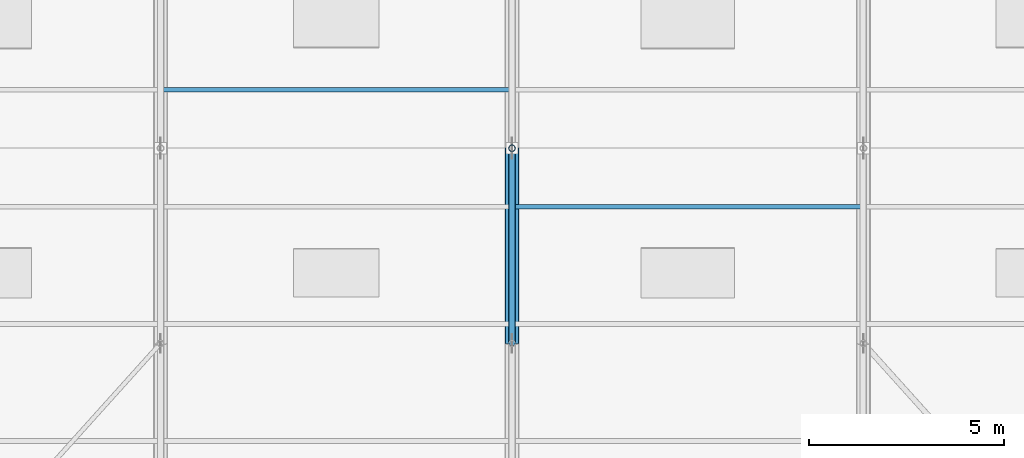
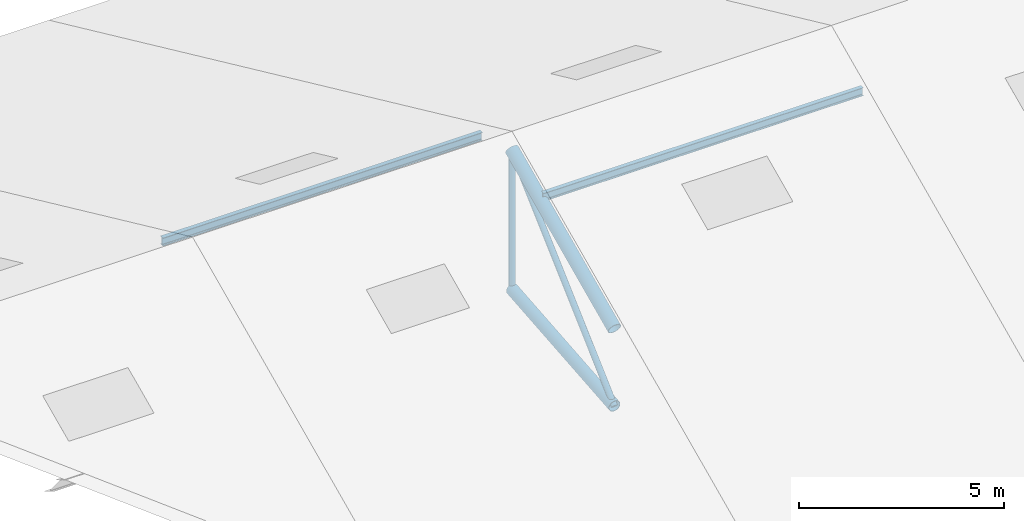
# One storey, part 17 of 107: 6 members.
"""IFC4 building model written with IfcOpenShell, lengths in metres."""

from ifc_helpers import new_model, si_unit, derived_unit, direction, frame, origin, origin_2d, place, context, subcontext, project, spatial, hollow_circle, i_section, extrude, material, material_profile, profile_set, type_object, element, save


model = new_model("IFC4")

# Units and contexts
model_context = context("Model", 3, precision=1e-05, world=origin(), true_north=direction((0.0, 1.0)))
body_context = subcontext(model_context, "Body", "Model", "MODEL_VIEW")
ifc_project = project(units=[si_unit("LENGTHUNIT", "METRE"), si_unit("AREAUNIT", "SQUARE_METRE"), si_unit("VOLUMEUNIT", "CUBIC_METRE"), si_unit("PLANEANGLEUNIT", "RADIAN"), si_unit("MASSUNIT", "GRAM", prefix="KILO"), si_unit("THERMODYNAMICTEMPERATUREUNIT", "KELVIN"), si_unit("TIMEUNIT", "SECOND"), derived_unit("THERMALTRANSMITTANCEUNIT", [(si_unit("MASSUNIT", "GRAM", prefix="KILO"), 1), (si_unit("THERMODYNAMICTEMPERATUREUNIT", "KELVIN"), -1), (si_unit("TIMEUNIT", "SECOND"), -3)])], contexts=[model_context])

# Site, building, storey
site_placement = place(None, origin())
site = spatial("IfcSite", under=ifc_project, at=site_placement, CompositionType="ELEMENT")
building_placement = place(site_placement, origin())
building = spatial("IfcBuilding", under=site, at=building_placement, Name="Cambertide Market Hall", CompositionType="ELEMENT")
storey_placement = place(building_placement, frame((0.0, 0.0, 18.300048828125)))
storey = spatial("IfcBuildingStorey", under=building, at=storey_placement, Name="RF", CompositionType="ELEMENT", Elevation=18.300048828125)

# Members
ifc_material_1 = material(Name="Steel S355", Category="steel")
ifc_material_profile_1 = material_profile(ifc_material_1, hollow_circle(Radius=0.161865234375, WallThickness=0.010009765625, at=origin_2d()), Name="CHS 323.9x10")
ifc_profile_set_1 = profile_set([ifc_material_profile_1], Name="Steel S355")
member_type_1 = type_object("IfcMemberType", Name="Arched Truss Chord CHS 323.9x10", PredefinedType="CHORD", material=ifc_profile_set_1)
member_1_placement = place(storey_placement, frame((60.0, 67.0, -4.955322265625), z_axis=(0.0, 0.9958792443, 0.090689198761), x_axis=(-1.0, 0.0, 0.0)))
element("IfcMember", 1, at=member_1_placement, inside=storey, type_object=member_type_1, Name="Roof Truss 3 Arched Bottom Chord 4", PredefinedType="CHORD", context=body_context, shape_type="SweptSolid", body=[
    extrude(hollow_circle(Radius=0.161865234375, WallThickness=0.010009765625, at=origin_2d()), origin(), (0.0, 0.0, 1.0), 5.020751953125),
])
ifc_material_2 = material(Name="Steel S355", Category="steel")
ifc_material_profile_2 = material_profile(ifc_material_2, hollow_circle(Radius=0.177734375, WallThickness=0.012451171875, at=origin_2d()), Name="CHS 355.6x12.5")
ifc_profile_set_2 = profile_set([ifc_material_profile_2], Name="Steel S355")
member_type_2 = type_object("IfcMemberType", Name="Arched Truss Chord CHS 355.6x12.5", PredefinedType="CHORD", material=ifc_profile_set_2)
member_2_placement = place(storey_placement, frame((60.0, 67.0, -2.650146484375), z_axis=(0.0, 0.908487084298, 0.417912930721), x_axis=(-1.0, 0.0, 0.0)))
element("IfcMember", 2, at=member_2_placement, inside=storey, type_object=member_type_2, Name="Roof Truss 3 Top Chord 4", PredefinedType="CHORD", context=body_context, shape_type="SweptSolid", body=[
    extrude(hollow_circle(Radius=0.177734375, WallThickness=0.012451171875, at=origin_2d()), origin(), (0.0, 0.0, 1.0), 5.503662109375),
])
ifc_material_3 = material(Name="Steel S275", Category="steel")
ifc_material_profile_3 = material_profile(ifc_material_3, i_section(OverallWidth=0.1201171875, OverallDepth=0.239990234375, WebThickness=0.006103515625, FlangeThickness=0.009765625, FilletRadius=0.014892578125, at=origin_2d()), Name="IPE 240")
ifc_profile_set_3 = profile_set([ifc_material_profile_3], Name="Steel S275")
member_type_3 = type_object("IfcMemberType", Name="Roof Purlin IPE 240", PredefinedType="PURLIN", material=ifc_profile_set_3)
for number, where, z_axis, x_axis, name in (
    (3, (51.0, 73.5, -0.830078125), (1.0, 0.0, 0.0), (0.0, 1.0, 0.0), "Barrel Roof Purlin 2-09"),
    (4, (60.0, 70.5, -0.830078125), (1.0, 0.0, 0.0), (0.0, 1.0, 0.0), "Barrel Roof Purlin 3-08"),
):
    element("IfcMember", number, at=place(storey_placement, frame(where, z_axis=z_axis, x_axis=x_axis)), inside=storey, type_object=member_type_3, Name=name, PredefinedType="PURLIN", context=body_context, shape_type="SweptSolid", body=[
        extrude(i_section(OverallWidth=0.1201171875, OverallDepth=0.239990234375, WebThickness=0.006103515625, FlangeThickness=0.009765625, FilletRadius=0.014892578125, at=origin_2d()), origin(), (0.0, 0.0, 1.0), 9.0),
    ])
ifc_material_4 = material(Name="Steel S355", Category="steel")
ifc_material_profile_4 = material_profile(ifc_material_4, hollow_circle(Radius=0.084228515625, WallThickness=0.00634765625, at=origin_2d()), Name="CHS 168.3x6.3")
ifc_profile_set_4 = profile_set([ifc_material_profile_4], Name="Steel S355")
member_type_4 = type_object("IfcMemberType", Name="Structural Brace CHS 168.3x6.3", PredefinedType="BRACE", material=ifc_profile_set_4)
member_3_placement = place(storey_placement, frame((60.0, 67.0, -4.955322265625), z_axis=(0.0, 0.73554793102, 0.677472686662), x_axis=(-1.0, 0.0, 0.0)))
element("IfcMember", 5, at=member_3_placement, inside=storey, type_object=member_type_4, Name="Roof Truss 3 Web Diagonal 4", PredefinedType="BRACE", context=body_context, shape_type="SweptSolid", body=[
    extrude(hollow_circle(Radius=0.084228515625, WallThickness=0.00634765625, at=origin_2d()), origin(), (0.0, 0.0, 1.0), 6.797607421875),
])
member_4_placement = place(storey_placement, frame((60.0, 72.0, -4.5), z_axis=(0.0, 0.0, 1.0), x_axis=(1.0, 0.0, 0.0)))
element("IfcMember", 6, at=member_4_placement, inside=storey, type_object=member_type_4, Name="Roof Truss 3 Web Post 5", PredefinedType="BRACE", context=body_context, shape_type="SweptSolid", body=[
    extrude(hollow_circle(Radius=0.084228515625, WallThickness=0.00634765625, at=origin_2d()), origin(), (0.0, 0.0, 1.0), 4.14990234375),
])

save(model, "model.ifc")
